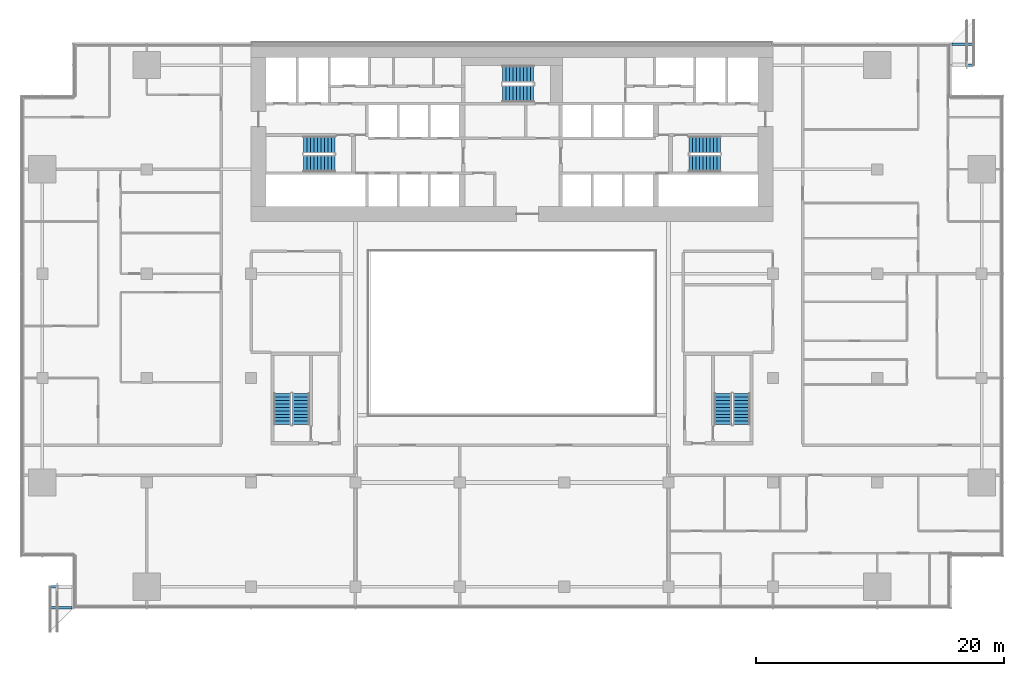
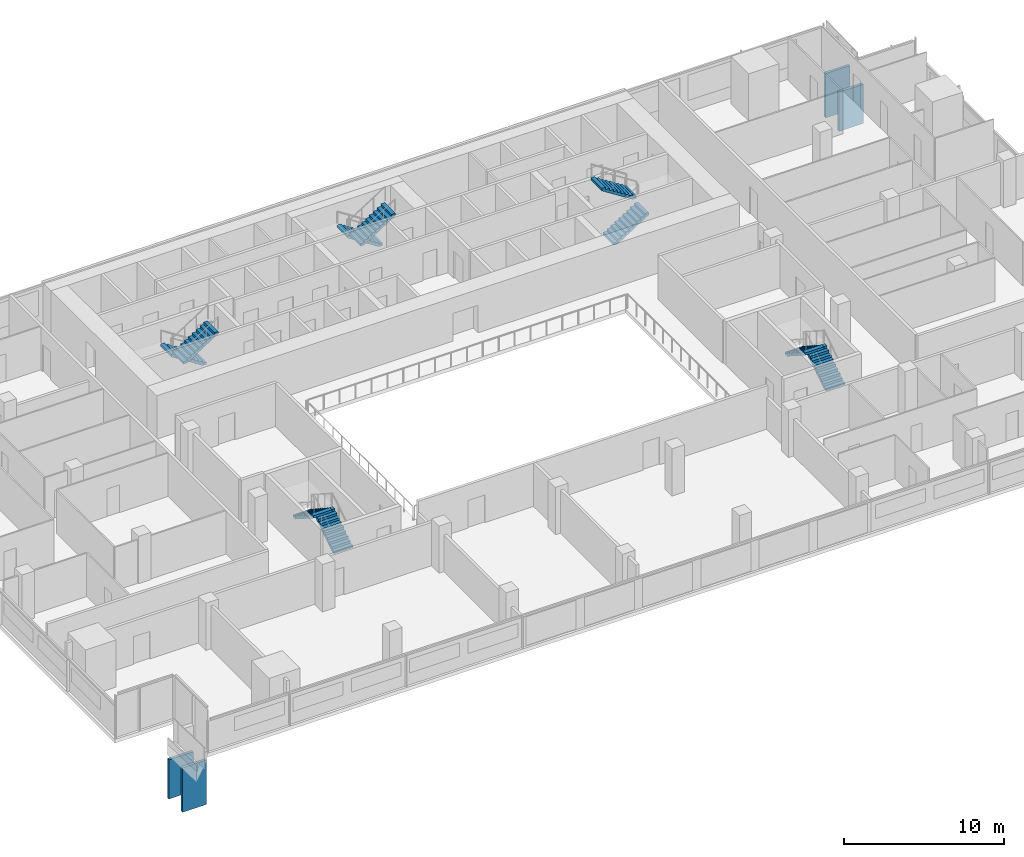
# One storey, part 23 of 25: 10 stair flights, 4 discrete accessories, 5 elements without a shape of their own.
"""IFC4 building model written with IfcOpenShell, lengths in metres."""

from ifc_helpers import new_model, si_unit, direction, frame, origin, origin_2d, place, context, subcontext, project, spatial, polyline, rectangle, outline, extrude, material, type_object, element, aggregate, save


model = new_model("IFC4")

# Units and contexts
model_context = context("Model", 3, precision=1e-05, world=origin(), true_north=direction((0.0, 1.0)))
body_context = subcontext(model_context, "Body", "Model", "MODEL_VIEW")
ifc_project = project(units=[si_unit("LENGTHUNIT", "METRE"), si_unit("AREAUNIT", "SQUARE_METRE"), si_unit("VOLUMEUNIT", "CUBIC_METRE"), si_unit("PLANEANGLEUNIT", "RADIAN"), si_unit("MASSUNIT", "GRAM", prefix="KILO")], contexts=[model_context])

# Site, building, storey
site_placement = place(None, origin())
site = spatial("IfcSite", under=ifc_project, at=site_placement, CompositionType="ELEMENT")
building_placement = place(site_placement, origin())
building = spatial("IfcBuilding", under=site, at=building_placement, Name="Saffron Gate Tower", CompositionType="ELEMENT")
storey_placement = place(building_placement, frame((0.0, 0.0, 80.39990234375)))
storey = spatial("IfcBuildingStorey", under=building, at=storey_placement, Name="L19", CompositionType="ELEMENT", Elevation=80.39990234375)

# Stair, stair flights
ifc_material = material(Name="Concrete C40", Category="concrete")
stair_type = type_object("IfcStairType", Name="ST7 Stair 1350 wide, 20 risers of 180", PredefinedType="HALF_TURN_STAIR", material=ifc_material)
stair_1_placement = place(storey_placement, origin())
stair_1 = element("IfcStair", 1, at=stair_1_placement, inside=storey, type_object=stair_type, Name="L19 Exit stair A", PredefinedType="HALF_TURN_STAIR")
stair_flight_type = type_object("IfcStairFlightType", Name="SF3 Stair flight 1350 wide, riser 180 going 280", PredefinedType="STRAIGHT", material=ifc_material)
stair_flight_1_placement = place(storey_placement, frame((73.35009765625, 67.375, 0.0), z_axis=(0.0, 0.0, 1.0), x_axis=(-1.0, 0.0, 0.0)))
stair_flight_1 = element("IfcStairFlight", 2, at=stair_flight_1_placement, type_object=stair_flight_type, Name="ST-A flight 1", NumberOfRisers=10, NumberOfTreads=9, PredefinedType="STRAIGHT", RiserHeight=0.18, TreadLength=0.28, context=body_context, shape_type="SweptSolid", body=[
    extrude(outline(polyline([(0.0, 0.0), (0.0, 0.179931640625), (0.280029296875, 0.179931640625), (0.280029296875, 0.360107421875), (0.56005859375, 0.360107421875), (0.56005859375, 0.5400390625), (0.840087890625, 0.5400390625), (0.840087890625, 0.719970703125), (1.1201171875, 0.719970703125), (1.1201171875, 0.89990234375), (1.39990234375, 0.89990234375), (1.39990234375, 1.080078125), (1.679931640625, 1.080078125), (1.679931640625, 1.260009765625), (1.9599609375, 1.260009765625), (1.9599609375, 1.43994140625), (2.239990234375, 1.43994140625), (2.239990234375, 1.6201171875), (2.52001953125, 1.6201171875), (2.52001953125, 1.800048828125), (2.52001953125, 1.44189453125), (0.277099609375, 0.0), (0.0, 0.0)])), frame((0.0, 0.675048828125, 0.0), z_axis=(0.0, -1.0, 0.0), x_axis=(1.0, 0.0, 0.0)), (0.0, 0.0, 1.0), 1.35009765625),
])
stair_flight_2_placement = place(storey_placement, frame((70.830078125, 65.875, 1.800048828125), z_axis=(0.0, 0.0, 1.0), x_axis=(1.0, 0.0, 0.0)))
stair_flight_2 = element("IfcStairFlight", 3, at=stair_flight_2_placement, type_object=stair_flight_type, Name="ST-A flight 2", NumberOfRisers=10, NumberOfTreads=9, PredefinedType="STRAIGHT", RiserHeight=0.18, TreadLength=0.28, context=body_context, shape_type="SweptSolid", body=[
    extrude(outline(polyline([(0.0, 0.0), (0.0, 0.179931640625), (0.280029296875, 0.179931640625), (0.280029296875, 0.360107421875), (0.56005859375, 0.360107421875), (0.56005859375, 0.5400390625), (0.840087890625, 0.5400390625), (0.840087890625, 0.719970703125), (1.1201171875, 0.719970703125), (1.1201171875, 0.89990234375), (1.39990234375, 0.89990234375), (1.39990234375, 1.080078125), (1.679931640625, 1.080078125), (1.679931640625, 1.260009765625), (1.9599609375, 1.260009765625), (1.9599609375, 1.43994140625), (2.239990234375, 1.43994140625), (2.239990234375, 1.6201171875), (2.52001953125, 1.6201171875), (2.52001953125, 1.800048828125), (2.52001953125, 1.44189453125), (0.277099609375, 0.0), (0.0, 0.0)])), frame((0.0, 0.675048828125, 0.0), z_axis=(0.0, -1.0, 0.0), x_axis=(1.0, 0.0, 0.0)), (0.0, 0.0, 1.0), 1.35009765625),
])
aggregate(stair_1, [stair_flight_1, stair_flight_2])

stair_2_placement = place(storey_placement, origin())
stair_2 = element("IfcStair", 4, at=stair_2_placement, inside=storey, type_object=stair_type, Name="L19 Exit stair B", PredefinedType="HALF_TURN_STAIR")
stair_flight_3_placement = place(storey_placement, frame((101.85009765625, 65.875, 0.0), z_axis=(0.0, 0.0, 1.0), x_axis=(1.0, 0.0, 0.0)))
stair_flight_3 = element("IfcStairFlight", 5, at=stair_flight_3_placement, type_object=stair_flight_type, Name="ST-B flight 1", NumberOfRisers=10, NumberOfTreads=9, PredefinedType="STRAIGHT", RiserHeight=0.18, TreadLength=0.28, context=body_context, shape_type="SweptSolid", body=[
    extrude(outline(polyline([(0.0, 0.0), (0.0, 0.179931640625), (0.280029296875, 0.179931640625), (0.280029296875, 0.360107421875), (0.56005859375, 0.360107421875), (0.56005859375, 0.5400390625), (0.840087890625, 0.5400390625), (0.840087890625, 0.719970703125), (1.1201171875, 0.719970703125), (1.1201171875, 0.89990234375), (1.39990234375, 0.89990234375), (1.39990234375, 1.080078125), (1.679931640625, 1.080078125), (1.679931640625, 1.260009765625), (1.9599609375, 1.260009765625), (1.9599609375, 1.43994140625), (2.239990234375, 1.43994140625), (2.239990234375, 1.6201171875), (2.52001953125, 1.6201171875), (2.52001953125, 1.800048828125), (2.52001953125, 1.44189453125), (0.277099609375, 0.0), (0.0, 0.0)])), frame((0.0, 0.675048828125, 0.0), z_axis=(0.0, -1.0, 0.0), x_axis=(1.0, 0.0, 0.0)), (0.0, 0.0, 1.0), 1.35009765625),
])
stair_flight_4_placement = place(storey_placement, frame((104.3701171875, 67.375, 1.800048828125), z_axis=(0.0, 0.0, 1.0), x_axis=(-1.0, 0.0, 0.0)))
stair_flight_4 = element("IfcStairFlight", 6, at=stair_flight_4_placement, type_object=stair_flight_type, Name="ST-B flight 2", NumberOfRisers=10, NumberOfTreads=9, PredefinedType="STRAIGHT", RiserHeight=0.18, TreadLength=0.28, context=body_context, shape_type="SweptSolid", body=[
    extrude(outline(polyline([(0.0, 0.0), (0.0, 0.179931640625), (0.280029296875, 0.179931640625), (0.280029296875, 0.360107421875), (0.56005859375, 0.360107421875), (0.56005859375, 0.5400390625), (0.840087890625, 0.5400390625), (0.840087890625, 0.719970703125), (1.1201171875, 0.719970703125), (1.1201171875, 0.89990234375), (1.39990234375, 0.89990234375), (1.39990234375, 1.080078125), (1.679931640625, 1.080078125), (1.679931640625, 1.260009765625), (1.9599609375, 1.260009765625), (1.9599609375, 1.43994140625), (2.239990234375, 1.43994140625), (2.239990234375, 1.6201171875), (2.52001953125, 1.6201171875), (2.52001953125, 1.800048828125), (2.52001953125, 1.44189453125), (0.277099609375, 0.0), (0.0, 0.0)])), frame((0.0, 0.675048828125, 0.0), z_axis=(0.0, -1.0, 0.0), x_axis=(1.0, 0.0, 0.0)), (0.0, 0.0, 1.0), 1.35009765625),
])
aggregate(stair_2, [stair_flight_3, stair_flight_4])

stair_3_placement = place(storey_placement, origin())
stair_3 = element("IfcStair", 7, at=stair_3_placement, inside=storey, type_object=stair_type, Name="L19 Exit stair C", PredefinedType="HALF_TURN_STAIR")
stair_flight_5_placement = place(storey_placement, frame((89.35009765625, 73.074951171875, 0.0), z_axis=(0.0, 0.0, 1.0), x_axis=(-1.0, 0.0, 0.0)))
stair_flight_5 = element("IfcStairFlight", 8, at=stair_flight_5_placement, type_object=stair_flight_type, Name="ST-C flight 1", NumberOfRisers=10, NumberOfTreads=9, PredefinedType="STRAIGHT", RiserHeight=0.18, TreadLength=0.28, context=body_context, shape_type="SweptSolid", body=[
    extrude(outline(polyline([(0.0, 0.0), (0.0, 0.179931640625), (0.280029296875, 0.179931640625), (0.280029296875, 0.360107421875), (0.56005859375, 0.360107421875), (0.56005859375, 0.5400390625), (0.840087890625, 0.5400390625), (0.840087890625, 0.719970703125), (1.1201171875, 0.719970703125), (1.1201171875, 0.89990234375), (1.39990234375, 0.89990234375), (1.39990234375, 1.080078125), (1.679931640625, 1.080078125), (1.679931640625, 1.260009765625), (1.9599609375, 1.260009765625), (1.9599609375, 1.43994140625), (2.239990234375, 1.43994140625), (2.239990234375, 1.6201171875), (2.52001953125, 1.6201171875), (2.52001953125, 1.800048828125), (2.52001953125, 1.44189453125), (0.277099609375, 0.0), (0.0, 0.0)])), frame((0.0, 0.675048828125, 0.0), z_axis=(0.0, -1.0, 0.0), x_axis=(1.0, 0.0, 0.0)), (0.0, 0.0, 1.0), 1.35009765625),
])
stair_flight_6_placement = place(storey_placement, frame((86.830078125, 71.47509765625, 1.800048828125), z_axis=(0.0, 0.0, 1.0), x_axis=(1.0, 0.0, 0.0)))
stair_flight_6 = element("IfcStairFlight", 9, at=stair_flight_6_placement, type_object=stair_flight_type, Name="ST-C flight 2", NumberOfRisers=10, NumberOfTreads=9, PredefinedType="STRAIGHT", RiserHeight=0.18, TreadLength=0.28, context=body_context, shape_type="SweptSolid", body=[
    extrude(outline(polyline([(0.0, 0.0), (0.0, 0.179931640625), (0.280029296875, 0.179931640625), (0.280029296875, 0.360107421875), (0.56005859375, 0.360107421875), (0.56005859375, 0.5400390625), (0.840087890625, 0.5400390625), (0.840087890625, 0.719970703125), (1.1201171875, 0.719970703125), (1.1201171875, 0.89990234375), (1.39990234375, 0.89990234375), (1.39990234375, 1.080078125), (1.679931640625, 1.080078125), (1.679931640625, 1.260009765625), (1.9599609375, 1.260009765625), (1.9599609375, 1.43994140625), (2.239990234375, 1.43994140625), (2.239990234375, 1.6201171875), (2.52001953125, 1.6201171875), (2.52001953125, 1.800048828125), (2.52001953125, 1.44189453125), (0.277099609375, 0.0), (0.0, 0.0)])), frame((0.0, 0.675048828125, 0.0), z_axis=(0.0, -1.0, 0.0), x_axis=(1.0, 0.0, 0.0)), (0.0, 0.0, 1.0), 1.35009765625),
])
aggregate(stair_3, [stair_flight_5, stair_flight_6])

stair_4_placement = place(storey_placement, origin())
stair_4 = element("IfcStair", 10, at=stair_4_placement, inside=storey, type_object=stair_type, Name="L19 Exit stair D", PredefinedType="HALF_TURN_STAIR")
stair_flight_7_placement = place(storey_placement, frame((70.625, 44.85009765625, 0.0), z_axis=(0.0, 0.0, 1.0), x_axis=(0.0, 1.0, 0.0)))
stair_flight_7 = element("IfcStairFlight", 11, at=stair_flight_7_placement, type_object=stair_flight_type, Name="ST-D flight 1", NumberOfRisers=10, NumberOfTreads=9, PredefinedType="STRAIGHT", RiserHeight=0.18, TreadLength=0.28, context=body_context, shape_type="SweptSolid", body=[
    extrude(outline(polyline([(0.0, 0.0), (0.0, 0.179931640625), (0.280029296875, 0.179931640625), (0.280029296875, 0.360107421875), (0.56005859375, 0.360107421875), (0.56005859375, 0.5400390625), (0.840087890625, 0.5400390625), (0.840087890625, 0.719970703125), (1.1201171875, 0.719970703125), (1.1201171875, 0.89990234375), (1.39990234375, 0.89990234375), (1.39990234375, 1.080078125), (1.679931640625, 1.080078125), (1.679931640625, 1.260009765625), (1.9599609375, 1.260009765625), (1.9599609375, 1.43994140625), (2.239990234375, 1.43994140625), (2.239990234375, 1.6201171875), (2.52001953125, 1.6201171875), (2.52001953125, 1.800048828125), (2.52001953125, 1.44189453125), (0.277099609375, 0.0), (0.0, 0.0)])), frame((0.0, 0.675048828125, 0.0), z_axis=(0.0, -1.0, 0.0), x_axis=(1.0, 0.0, 0.0)), (0.0, 0.0, 1.0), 1.35009765625),
])
stair_flight_8_placement = place(storey_placement, frame((69.125, 47.3701171875, 1.800048828125), z_axis=(0.0, 0.0, 1.0), x_axis=(0.0, -1.0, 0.0)))
stair_flight_8 = element("IfcStairFlight", 12, at=stair_flight_8_placement, type_object=stair_flight_type, Name="ST-D flight 2", NumberOfRisers=10, NumberOfTreads=9, PredefinedType="STRAIGHT", RiserHeight=0.18, TreadLength=0.28, context=body_context, shape_type="SweptSolid", body=[
    extrude(outline(polyline([(0.0, 0.0), (0.0, 0.179931640625), (0.280029296875, 0.179931640625), (0.280029296875, 0.360107421875), (0.56005859375, 0.360107421875), (0.56005859375, 0.5400390625), (0.840087890625, 0.5400390625), (0.840087890625, 0.719970703125), (1.1201171875, 0.719970703125), (1.1201171875, 0.89990234375), (1.39990234375, 0.89990234375), (1.39990234375, 1.080078125), (1.679931640625, 1.080078125), (1.679931640625, 1.260009765625), (1.9599609375, 1.260009765625), (1.9599609375, 1.43994140625), (2.239990234375, 1.43994140625), (2.239990234375, 1.6201171875), (2.52001953125, 1.6201171875), (2.52001953125, 1.800048828125), (2.52001953125, 1.44189453125), (0.277099609375, 0.0), (0.0, 0.0)])), frame((0.0, 0.675048828125, 0.0), z_axis=(0.0, -1.0, 0.0), x_axis=(1.0, 0.0, 0.0)), (0.0, 0.0, 1.0), 1.35009765625),
])
aggregate(stair_4, [stair_flight_7, stair_flight_8])

stair_5_placement = place(storey_placement, origin())
stair_5 = element("IfcStair", 13, at=stair_5_placement, inside=storey, type_object=stair_type, Name="L19 Exit stair E", PredefinedType="HALF_TURN_STAIR")
stair_flight_9_placement = place(storey_placement, frame((106.074951171875, 44.85009765625, 0.0), z_axis=(0.0, 0.0, 1.0), x_axis=(0.0, 1.0, 0.0)))
stair_flight_9 = element("IfcStairFlight", 14, at=stair_flight_9_placement, type_object=stair_flight_type, Name="ST-E flight 1", NumberOfRisers=10, NumberOfTreads=9, PredefinedType="STRAIGHT", RiserHeight=0.18, TreadLength=0.28, context=body_context, shape_type="SweptSolid", body=[
    extrude(outline(polyline([(0.0, 0.0), (0.0, 0.179931640625), (0.280029296875, 0.179931640625), (0.280029296875, 0.360107421875), (0.56005859375, 0.360107421875), (0.56005859375, 0.5400390625), (0.840087890625, 0.5400390625), (0.840087890625, 0.719970703125), (1.1201171875, 0.719970703125), (1.1201171875, 0.89990234375), (1.39990234375, 0.89990234375), (1.39990234375, 1.080078125), (1.679931640625, 1.080078125), (1.679931640625, 1.260009765625), (1.9599609375, 1.260009765625), (1.9599609375, 1.43994140625), (2.239990234375, 1.43994140625), (2.239990234375, 1.6201171875), (2.52001953125, 1.6201171875), (2.52001953125, 1.800048828125), (2.52001953125, 1.44189453125), (0.277099609375, 0.0), (0.0, 0.0)])), frame((0.0, 0.675048828125, 0.0), z_axis=(0.0, -1.0, 0.0), x_axis=(1.0, 0.0, 0.0)), (0.0, 0.0, 1.0), 1.35009765625),
])
stair_flight_10_placement = place(storey_placement, frame((104.574951171875, 47.3701171875, 1.800048828125), z_axis=(0.0, 0.0, 1.0), x_axis=(0.0, -1.0, 0.0)))
stair_flight_10 = element("IfcStairFlight", 15, at=stair_flight_10_placement, type_object=stair_flight_type, Name="ST-E flight 2", NumberOfRisers=10, NumberOfTreads=9, PredefinedType="STRAIGHT", RiserHeight=0.18, TreadLength=0.28, context=body_context, shape_type="SweptSolid", body=[
    extrude(outline(polyline([(0.0, 0.0), (0.0, 0.179931640625), (0.280029296875, 0.179931640625), (0.280029296875, 0.360107421875), (0.56005859375, 0.360107421875), (0.56005859375, 0.5400390625), (0.840087890625, 0.5400390625), (0.840087890625, 0.719970703125), (1.1201171875, 0.719970703125), (1.1201171875, 0.89990234375), (1.39990234375, 0.89990234375), (1.39990234375, 1.080078125), (1.679931640625, 1.080078125), (1.679931640625, 1.260009765625), (1.9599609375, 1.260009765625), (1.9599609375, 1.43994140625), (2.239990234375, 1.43994140625), (2.239990234375, 1.6201171875), (2.52001953125, 1.6201171875), (2.52001953125, 1.800048828125), (2.52001953125, 1.44189453125), (0.277099609375, 0.0), (0.0, 0.0)])), frame((0.0, 0.675048828125, 0.0), z_axis=(0.0, -1.0, 0.0), x_axis=(1.0, 0.0, 0.0)), (0.0, 0.0, 1.0), 1.35009765625),
])
aggregate(stair_5, [stair_flight_9, stair_flight_10])

# Discrete accessories
discrete_accessory_1_placement = place(storey_placement, frame((51.324951171875, 31.800048828125, -3.8798828125), z_axis=(0.0, 0.0, 1.0), x_axis=(0.0, -1.0, 0.0)))
element("IfcDiscreteAccessory", 16, at=discrete_accessory_1_placement, inside=storey, Name="LEDGE rib", PredefinedType="BRACKET", context=body_context, shape_type="SweptSolid", body=[
    extrude(rectangle(XDim=0.199951171875, YDim=1.75, at=origin_2d()), origin(), (0.0, 0.0, 1.0), 2.986083984375),
])
discrete_accessory_2_placement = place(storey_placement, frame((51.324951171875, 30.1201171875, -3.8798828125), z_axis=(0.0, 0.0, 1.0), x_axis=(0.0, -1.0, 0.0)))
element("IfcDiscreteAccessory", 17, at=discrete_accessory_2_placement, inside=storey, Name="LEDGE rib", PredefinedType="BRACKET", context=body_context, shape_type="SweptSolid", body=[
    extrude(rectangle(XDim=0.199951171875, YDim=1.75, at=origin_2d()), origin(), (0.0, 0.0, 1.0), 3.380859375),
])
discrete_accessory_3_placement = place(storey_placement, frame((123.875, 73.800048828125, -3.8798828125), z_axis=(0.0, 0.0, 1.0), x_axis=(0.0, 1.0, 0.0)))
element("IfcDiscreteAccessory", 18, at=discrete_accessory_3_placement, inside=storey, Name="LEDGE rib", PredefinedType="BRACKET", context=body_context, shape_type="SweptSolid", body=[
    extrude(rectangle(XDim=0.199951171875, YDim=1.75, at=origin_2d()), origin(), (0.0, 0.0, 1.0), 2.986083984375),
])
discrete_accessory_4_placement = place(storey_placement, frame((123.875, 75.47998046875, -3.8798828125), z_axis=(0.0, 0.0, 1.0), x_axis=(0.0, 1.0, 0.0)))
element("IfcDiscreteAccessory", 19, at=discrete_accessory_4_placement, inside=storey, Name="LEDGE rib", PredefinedType="BRACKET", context=body_context, shape_type="SweptSolid", body=[
    extrude(rectangle(XDim=0.199951171875, YDim=1.75, at=origin_2d()), origin(), (0.0, 0.0, 1.0), 3.380859375),
])

save(model, "model.ifc")
